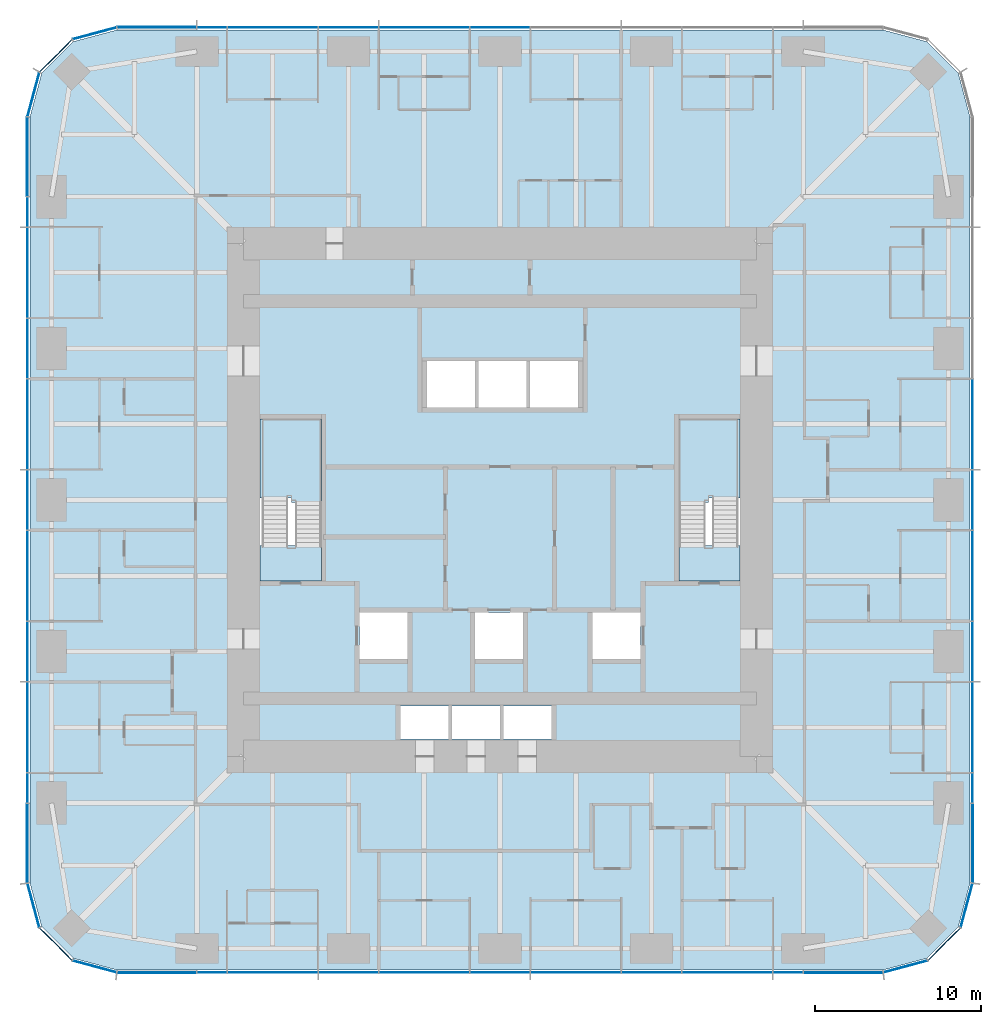
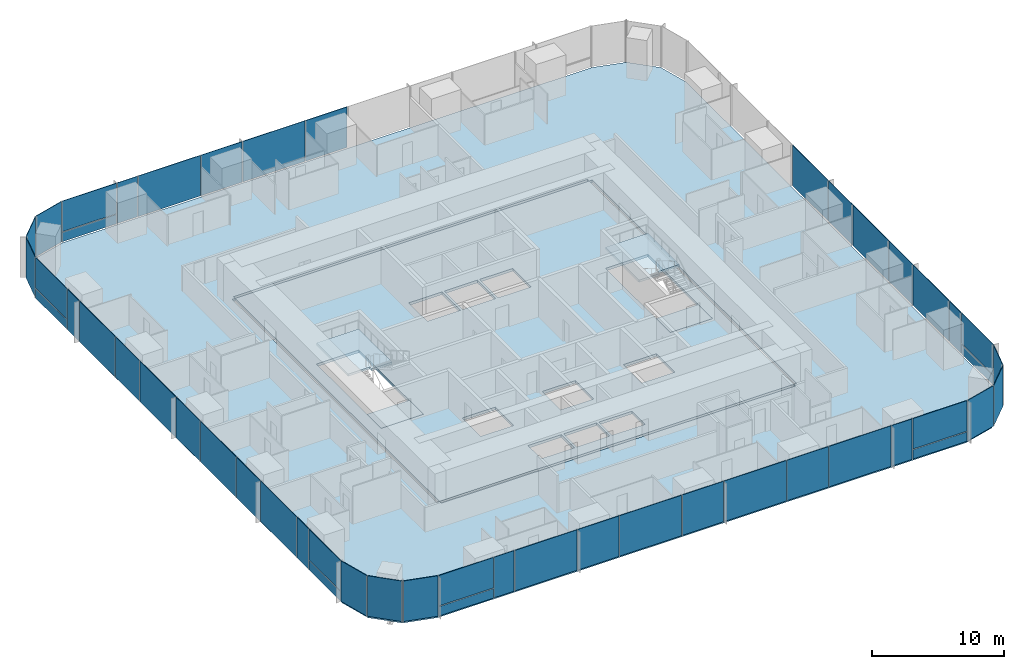
# One storey, part 7 of 13: 50 plates, 6 slabs, 9 elements without a shape of their own.
"""IFC4 building model written with IfcOpenShell, lengths in metres."""

from ifc_helpers import new_model, si_unit, direction, frame, origin, origin_2d, place, context, subcontext, project, spatial, polyline, rectangle, outline, extrude, material, layer, layer_set, type_object, element, aggregate, save


model = new_model("IFC4")

# Units and contexts
model_context = context("Model", 3, precision=1e-05, world=origin(), true_north=direction((0.0, 1.0)))
body_context = subcontext(model_context, "Body", "Model", "MODEL_VIEW")
ifc_project = project(units=[si_unit("LENGTHUNIT", "METRE"), si_unit("AREAUNIT", "SQUARE_METRE"), si_unit("VOLUMEUNIT", "CUBIC_METRE"), si_unit("PLANEANGLEUNIT", "RADIAN"), si_unit("MASSUNIT", "GRAM", prefix="KILO")], contexts=[model_context])

# Site, building, storey
site_placement = place(None, origin())
site = spatial("IfcSite", under=ifc_project, at=site_placement, CompositionType="ELEMENT")
building_placement = place(site_placement, origin())
building = spatial("IfcBuilding", under=site, at=building_placement, Name="Khuree Lantern Residences", CompositionType="ELEMENT")
storey_placement = place(building_placement, frame((0.0, 0.0, 156.0)))
storey = spatial("IfcBuildingStorey", under=building, at=storey_placement, Name="L39", CompositionType="ELEMENT", Elevation=156.0)

# Slab
ifc_material_1 = material(Name="Concrete C35/45", Category="concrete")
ifc_layer_1 = layer(ifc_material_1, 0.25)
ifc_layer_set_1 = layer_set([ifc_layer_1], Name="CFL250 CORE FLOOR SLAB 250")
slab_type_1 = type_object("IfcSlabType", Name="CFL250 CORE FLOOR SLAB 250", PredefinedType="FLOOR", material=ifc_layer_set_1)
slab_1_placement = place(storey_placement, frame((0.0, 0.0, -0.25)))
element("IfcSlab", 1, at=slab_1_placement, inside=storey, type_object=slab_type_1, Name="Core floor L39", PredefinedType="FLOOR", context=body_context, shape_type="SweptSolid", body=[
    extrude(outline(polyline([(-15.5, -15.5), (-15.5, 15.5), (15.5, 15.5), (15.5, -15.5), (-15.5, -15.5)]), holes=[polyline([(10.800048828125, 4.89990234375), (10.800048828125, -4.89990234375), (14.5, -4.89990234375), (14.5, 4.89990234375), (10.800048828125, 4.89990234375)]), polyline([(8.5, -6.800048828125), (5.60009765625, -6.800048828125), (5.60009765625, -9.60009765625), (8.5, -9.60009765625), (8.5, -6.800048828125)]), polyline([(4.699951171875, 8.39990234375), (1.800048828125, 8.39990234375), (1.800048828125, 5.60009765625), (4.699951171875, 5.60009765625), (4.699951171875, 8.39990234375)]), polyline([(3.10009765625, -12.449951171875), (0.199951171875, -12.449951171875), (0.199951171875, -14.449951171875), (3.10009765625, -14.449951171875), (3.10009765625, -12.449951171875)]), polyline([(1.60009765625, 8.39990234375), (-1.300048828125, 8.39990234375), (-1.300048828125, 5.60009765625), (1.60009765625, 5.60009765625), (1.60009765625, 8.39990234375)]), polyline([(1.39990234375, -6.800048828125), (-1.5, -6.800048828125), (-1.5, -9.60009765625), (1.39990234375, -9.60009765625), (1.39990234375, -6.800048828125)]), polyline([(-2.89990234375, -12.449951171875), (-2.89990234375, -14.449951171875), (0.0, -14.449951171875), (0.0, -12.449951171875), (-2.89990234375, -12.449951171875)]), polyline([(-4.39990234375, 8.39990234375), (-4.39990234375, 5.60009765625), (-1.5, 5.60009765625), (-1.5, 8.39990234375), (-4.39990234375, 8.39990234375)]), polyline([(-6.0, -12.449951171875), (-6.0, -14.449951171875), (-3.10009765625, -14.449951171875), (-3.10009765625, -12.449951171875), (-6.0, -12.449951171875)]), polyline([(-8.5, -6.800048828125), (-8.5, -9.60009765625), (-5.60009765625, -9.60009765625), (-5.60009765625, -6.800048828125), (-8.5, -6.800048828125)]), polyline([(-10.800048828125, 4.89990234375), (-14.5, 4.89990234375), (-14.5, -4.89990234375), (-10.800048828125, -4.89990234375), (-10.800048828125, 4.89990234375)])]), origin(), (0.0, 0.0, 1.0), 0.25),
])

# Curtain wall, plates
ifc_material_2 = material(Name="Bronze anodised aluminium", Category="aluminium")
curtain_wall_type_1 = type_object("IfcCurtainWallType", Name="CW-T2 TOWER CORNER CURTAIN WALL", PredefinedType="USERDEFINED", material=ifc_material_2)
curtain_wall_1_placement = place(storey_placement, origin())
curtain_wall_1 = element("IfcCurtainWall", 2, at=curtain_wall_1_placement, inside=storey, type_object=curtain_wall_type_1, Name="L39 SOUTH-EAST CORNER CURTAIN WALL", ObjectType="Faceted corner curtain wall", PredefinedType="USERDEFINED")
ifc_material_3 = material(Name="Bronze tinted triple glazing", Category="glass")
ifc_layer_2 = layer(ifc_material_3, 0.048095703125)
ifc_layer_set_2 = layer_set([ifc_layer_2], Name="FACET PANEL P4")
plate_type_1 = type_object("IfcPlateType", Name="FACET PANEL P4", PredefinedType="CURTAIN_PANEL", material=ifc_layer_set_2)
plate_1_placement = place(storey_placement, frame((24.498046875, -28.188720703125, 0.0), z_axis=(0.0, 0.0, 1.0), x_axis=(0.965925810153, 0.258819105321, 0.0)))
plate_1 = element("IfcPlate", 3, at=plate_1_placement, type_object=plate_type_1, Name="L39 SOUTH-EAST CORNER PANEL 1.1", PredefinedType="CURTAIN_PANEL", context=body_context, shape_type="SweptSolid", body=[
    extrude(rectangle(XDim=2.71923828125, YDim=0.048095703125, at=origin_2d()), origin(), (0.0, 0.0, 1.0), 3.75),
])
plate_2_placement = place(storey_placement, frame((26.83837890625, -26.83837890625, 0.0), z_axis=(0.0, 0.0, 1.0), x_axis=(0.707106781187, 0.707106781187, 0.0)))
plate_2 = element("IfcPlate", 4, at=plate_2_placement, type_object=plate_type_1, Name="L39 SOUTH-EAST CORNER PANEL 2.1", PredefinedType="CURTAIN_PANEL", context=body_context, shape_type="SweptSolid", body=[
    extrude(rectangle(XDim=2.715087890625, YDim=0.048095703125, at=origin_2d()), origin(), (0.0, 0.0, 1.0), 3.75),
])
plate_3_placement = place(storey_placement, frame((28.188720703125, -24.498046875, 0.0), z_axis=(0.0, 0.0, 1.0), x_axis=(0.258819105321, 0.965925810153, 0.0)))
plate_3 = element("IfcPlate", 5, at=plate_3_placement, type_object=plate_type_1, Name="L39 SOUTH-EAST CORNER PANEL 3.1", PredefinedType="CURTAIN_PANEL", context=body_context, shape_type="SweptSolid", body=[
    extrude(rectangle(XDim=2.71923828125, YDim=0.048095703125, at=origin_2d()), origin(), (0.0, 0.0, 1.0), 3.75),
])
aggregate(curtain_wall_1, [plate_1, plate_2, plate_3])

curtain_wall_2_placement = place(storey_placement, origin())
curtain_wall_2 = element("IfcCurtainWall", 6, at=curtain_wall_2_placement, inside=storey, type_object=curtain_wall_type_1, Name="L39 NORTH-WEST CORNER CURTAIN WALL", ObjectType="Faceted corner curtain wall", PredefinedType="USERDEFINED")
plate_4_placement = place(storey_placement, frame((-24.498046875, 28.188720703125, 0.0), z_axis=(0.0, 0.0, 1.0), x_axis=(-0.965925810153, -0.258819105321, 0.0)))
plate_4 = element("IfcPlate", 7, at=plate_4_placement, type_object=plate_type_1, Name="L39 NORTH-WEST CORNER PANEL 29.1", PredefinedType="CURTAIN_PANEL", context=body_context, shape_type="SweptSolid", body=[
    extrude(rectangle(XDim=2.71923828125, YDim=0.048095703125, at=origin_2d()), origin(), (0.0, 0.0, 1.0), 3.75),
])
plate_5_placement = place(storey_placement, frame((-26.83837890625, 26.83837890625, 0.0), z_axis=(0.0, 0.0, 1.0), x_axis=(-0.707106781187, -0.707106781187, 0.0)))
plate_5 = element("IfcPlate", 8, at=plate_5_placement, type_object=plate_type_1, Name="L39 NORTH-WEST CORNER PANEL 30.1", PredefinedType="CURTAIN_PANEL", context=body_context, shape_type="SweptSolid", body=[
    extrude(rectangle(XDim=2.715087890625, YDim=0.048095703125, at=origin_2d()), origin(), (0.0, 0.0, 1.0), 3.75),
])
plate_6_placement = place(storey_placement, frame((-28.188720703125, 24.498046875, 0.0), z_axis=(0.0, 0.0, 1.0), x_axis=(-0.258819105321, -0.965925810153, 0.0)))
plate_6 = element("IfcPlate", 9, at=plate_6_placement, type_object=plate_type_1, Name="L39 NORTH-WEST CORNER PANEL 31.1", PredefinedType="CURTAIN_PANEL", context=body_context, shape_type="SweptSolid", body=[
    extrude(rectangle(XDim=2.71923828125, YDim=0.048095703125, at=origin_2d()), origin(), (0.0, 0.0, 1.0), 3.75),
])
aggregate(curtain_wall_2, [plate_4, plate_5, plate_6])

curtain_wall_3_placement = place(storey_placement, origin())
curtain_wall_3 = element("IfcCurtainWall", 10, at=curtain_wall_3_placement, inside=storey, type_object=curtain_wall_type_1, Name="L39 SOUTH-WEST CORNER CURTAIN WALL", ObjectType="Faceted corner curtain wall", PredefinedType="USERDEFINED")
plate_7_placement = place(storey_placement, frame((-28.188720703125, -24.498046875, 0.0), z_axis=(0.0, 0.0, 1.0), x_axis=(0.258819105321, -0.965925810153, 0.0)))
plate_7 = element("IfcPlate", 11, at=plate_7_placement, type_object=plate_type_1, Name="L39 SOUTH-WEST CORNER PANEL 43.1", PredefinedType="CURTAIN_PANEL", context=body_context, shape_type="SweptSolid", body=[
    extrude(rectangle(XDim=2.71923828125, YDim=0.048095703125, at=origin_2d()), origin(), (0.0, 0.0, 1.0), 3.75),
])
plate_8_placement = place(storey_placement, frame((-26.83837890625, -26.83837890625, 0.0), z_axis=(0.0, 0.0, 1.0), x_axis=(0.707106781187, -0.707106781187, 0.0)))
plate_8 = element("IfcPlate", 12, at=plate_8_placement, type_object=plate_type_1, Name="L39 SOUTH-WEST CORNER PANEL 44.1", PredefinedType="CURTAIN_PANEL", context=body_context, shape_type="SweptSolid", body=[
    extrude(rectangle(XDim=2.715087890625, YDim=0.048095703125, at=origin_2d()), origin(), (0.0, 0.0, 1.0), 3.75),
])
plate_9_placement = place(storey_placement, frame((-24.498046875, -28.188720703125, 0.0), z_axis=(0.0, 0.0, 1.0), x_axis=(0.965925810153, -0.258819105321, 0.0)))
plate_9 = element("IfcPlate", 13, at=plate_9_placement, type_object=plate_type_1, Name="L39 SOUTH-WEST CORNER PANEL 45.1", PredefinedType="CURTAIN_PANEL", context=body_context, shape_type="SweptSolid", body=[
    extrude(rectangle(XDim=2.71923828125, YDim=0.048095703125, at=origin_2d()), origin(), (0.0, 0.0, 1.0), 3.75),
])
aggregate(curtain_wall_3, [plate_7, plate_8, plate_9])

curtain_wall_type_2 = type_object("IfcCurtainWallType", Name="CW-T1 TOWER FACE CURTAIN WALL", PredefinedType="USERDEFINED", material=ifc_material_2)
curtain_wall_4_placement = place(storey_placement, origin())
curtain_wall_4 = element("IfcCurtainWall", 14, at=curtain_wall_4_placement, inside=storey, type_object=curtain_wall_type_2, Name="L39 EAST FACE CURTAIN WALL", ObjectType="Stick-built curtain wall", PredefinedType="USERDEFINED")
ifc_material_4 = material(Name="Bronze tinted triple glazing with a ceramic-fritted spandrel band", Category="glass")
ifc_layer_3 = layer(ifc_material_4, 0.048095703125)
ifc_layer_set_3 = layer_set([ifc_layer_3], Name="FIXED LIGHT PANEL P11")
plate_type_2 = type_object("IfcPlateType", Name="FIXED LIGHT PANEL P11", PredefinedType="CURTAIN_PANEL", material=ifc_layer_set_3)
plate_10_placement = place(storey_placement, frame((28.550048828125, -13.739990234375, 0.0), z_axis=(0.0, 0.0, 1.0), x_axis=(0.0, 1.0, 0.0)))
plate_10 = element("IfcPlate", 15, at=plate_10_placement, type_object=plate_type_2, Name="L39 EAST FACE PANEL 6.1", PredefinedType="CURTAIN_PANEL", context=body_context, shape_type="SweptSolid", body=[
    extrude(rectangle(XDim=5.430908203125, YDim=0.048095703125, at=origin_2d()), origin(), (0.0, 0.0, 1.0), 3.75),
])
plate_11_placement = place(storey_placement, frame((28.550048828125, -4.580078125, 0.0), z_axis=(0.0, 0.0, 1.0), x_axis=(0.0, 1.0, 0.0)))
plate_11 = element("IfcPlate", 16, at=plate_11_placement, type_object=plate_type_2, Name="L39 EAST FACE PANEL 8.1", PredefinedType="CURTAIN_PANEL", context=body_context, shape_type="SweptSolid", body=[
    extrude(rectangle(XDim=5.430908203125, YDim=0.048095703125, at=origin_2d()), origin(), (0.0, 0.0, 1.0), 3.75),
])
plate_12_placement = place(storey_placement, frame((28.550048828125, 4.580078125, 0.0), z_axis=(0.0, 0.0, 1.0), x_axis=(0.0, 1.0, 0.0)))
plate_12 = element("IfcPlate", 17, at=plate_12_placement, type_object=plate_type_2, Name="L39 EAST FACE PANEL 10.1", PredefinedType="CURTAIN_PANEL", context=body_context, shape_type="SweptSolid", body=[
    extrude(rectangle(XDim=5.430908203125, YDim=0.048095703125, at=origin_2d()), origin(), (0.0, 0.0, 1.0), 3.75),
])

curtain_wall_5_placement = place(storey_placement, origin())
curtain_wall_5 = element("IfcCurtainWall", 18, at=curtain_wall_5_placement, inside=storey, type_object=curtain_wall_type_2, Name="L39 NORTH FACE CURTAIN WALL", ObjectType="Stick-built curtain wall", PredefinedType="USERDEFINED")
plate_13_placement = place(storey_placement, frame((-4.580078125, 28.550048828125, 0.0), z_axis=(0.0, 0.0, 1.0), x_axis=(-1.0, 0.0, 0.0)))
plate_13 = element("IfcPlate", 19, at=plate_13_placement, type_object=plate_type_2, Name="L39 NORTH FACE PANEL 24.1", PredefinedType="CURTAIN_PANEL", context=body_context, shape_type="SweptSolid", body=[
    extrude(rectangle(XDim=5.430908203125, YDim=0.048095703125, at=origin_2d()), origin(), (0.0, 0.0, 1.0), 3.75),
])
plate_14_placement = place(storey_placement, frame((-13.739990234375, 28.550048828125, 0.0), z_axis=(0.0, 0.0, 1.0), x_axis=(-1.0, 0.0, 0.0)))
plate_14 = element("IfcPlate", 20, at=plate_14_placement, type_object=plate_type_2, Name="L39 NORTH FACE PANEL 26.1", PredefinedType="CURTAIN_PANEL", context=body_context, shape_type="SweptSolid", body=[
    extrude(rectangle(XDim=5.430908203125, YDim=0.048095703125, at=origin_2d()), origin(), (0.0, 0.0, 1.0), 3.75),
])

curtain_wall_6_placement = place(storey_placement, origin())
curtain_wall_6 = element("IfcCurtainWall", 21, at=curtain_wall_6_placement, inside=storey, type_object=curtain_wall_type_2, Name="L39 WEST FACE CURTAIN WALL", ObjectType="Stick-built curtain wall", PredefinedType="USERDEFINED")
plate_15_placement = place(storey_placement, frame((-28.550048828125, 13.739990234375, 0.0), z_axis=(0.0, 0.0, 1.0), x_axis=(0.0, -1.0, 0.0)))
plate_15 = element("IfcPlate", 22, at=plate_15_placement, type_object=plate_type_2, Name="L39 WEST FACE PANEL 34.1", PredefinedType="CURTAIN_PANEL", context=body_context, shape_type="SweptSolid", body=[
    extrude(rectangle(XDim=5.430908203125, YDim=0.048095703125, at=origin_2d()), origin(), (0.0, 0.0, 1.0), 3.75),
])
plate_16_placement = place(storey_placement, frame((-28.550048828125, 4.580078125, 0.0), z_axis=(0.0, 0.0, 1.0), x_axis=(0.0, -1.0, 0.0)))
plate_16 = element("IfcPlate", 23, at=plate_16_placement, type_object=plate_type_2, Name="L39 WEST FACE PANEL 36.1", PredefinedType="CURTAIN_PANEL", context=body_context, shape_type="SweptSolid", body=[
    extrude(rectangle(XDim=5.430908203125, YDim=0.048095703125, at=origin_2d()), origin(), (0.0, 0.0, 1.0), 3.75),
])
plate_17_placement = place(storey_placement, frame((-28.550048828125, -4.580078125, 0.0), z_axis=(0.0, 0.0, 1.0), x_axis=(0.0, -1.0, 0.0)))
plate_17 = element("IfcPlate", 24, at=plate_17_placement, type_object=plate_type_2, Name="L39 WEST FACE PANEL 38.1", PredefinedType="CURTAIN_PANEL", context=body_context, shape_type="SweptSolid", body=[
    extrude(rectangle(XDim=5.430908203125, YDim=0.048095703125, at=origin_2d()), origin(), (0.0, 0.0, 1.0), 3.75),
])
plate_18_placement = place(storey_placement, frame((-28.550048828125, -13.739990234375, 0.0), z_axis=(0.0, 0.0, 1.0), x_axis=(0.0, -1.0, 0.0)))
plate_18 = element("IfcPlate", 25, at=plate_18_placement, type_object=plate_type_2, Name="L39 WEST FACE PANEL 40.1", PredefinedType="CURTAIN_PANEL", context=body_context, shape_type="SweptSolid", body=[
    extrude(rectangle(XDim=5.430908203125, YDim=0.048095703125, at=origin_2d()), origin(), (0.0, 0.0, 1.0), 3.75),
])

curtain_wall_7_placement = place(storey_placement, origin())
curtain_wall_7 = element("IfcCurtainWall", 26, at=curtain_wall_7_placement, inside=storey, type_object=curtain_wall_type_2, Name="L39 SOUTH FACE CURTAIN WALL", ObjectType="Stick-built curtain wall", PredefinedType="USERDEFINED")
plate_19_placement = place(storey_placement, frame((-13.739990234375, -28.550048828125, 0.0), z_axis=(0.0, 0.0, 1.0), x_axis=(1.0, 0.0, 0.0)))
plate_19 = element("IfcPlate", 27, at=plate_19_placement, type_object=plate_type_2, Name="L39 SOUTH FACE PANEL 48.1", PredefinedType="CURTAIN_PANEL", context=body_context, shape_type="SweptSolid", body=[
    extrude(rectangle(XDim=5.430908203125, YDim=0.048095703125, at=origin_2d()), origin(), (0.0, 0.0, 1.0), 3.75),
])
plate_20_placement = place(storey_placement, frame((-4.580078125, -28.550048828125, 0.0), z_axis=(0.0, 0.0, 1.0), x_axis=(1.0, 0.0, 0.0)))
plate_20 = element("IfcPlate", 28, at=plate_20_placement, type_object=plate_type_2, Name="L39 SOUTH FACE PANEL 50.1", PredefinedType="CURTAIN_PANEL", context=body_context, shape_type="SweptSolid", body=[
    extrude(rectangle(XDim=5.430908203125, YDim=0.048095703125, at=origin_2d()), origin(), (0.0, 0.0, 1.0), 3.75),
])
plate_21_placement = place(storey_placement, frame((4.580078125, -28.550048828125, 0.0), z_axis=(0.0, 0.0, 1.0), x_axis=(1.0, 0.0, 0.0)))
plate_21 = element("IfcPlate", 29, at=plate_21_placement, type_object=plate_type_2, Name="L39 SOUTH FACE PANEL 52.1", PredefinedType="CURTAIN_PANEL", context=body_context, shape_type="SweptSolid", body=[
    extrude(rectangle(XDim=5.430908203125, YDim=0.048095703125, at=origin_2d()), origin(), (0.0, 0.0, 1.0), 3.75),
])
plate_22_placement = place(storey_placement, frame((13.739990234375, -28.550048828125, 0.0), z_axis=(0.0, 0.0, 1.0), x_axis=(1.0, 0.0, 0.0)))
plate_22 = element("IfcPlate", 30, at=plate_22_placement, type_object=plate_type_2, Name="L39 SOUTH FACE PANEL 54.1", PredefinedType="CURTAIN_PANEL", context=body_context, shape_type="SweptSolid", body=[
    extrude(rectangle(XDim=5.430908203125, YDim=0.048095703125, at=origin_2d()), origin(), (0.0, 0.0, 1.0), 3.75),
])

# Slab
ifc_layer_4 = layer(ifc_material_1, 0.25)
ifc_layer_set_4 = layer_set([ifc_layer_4], Name="FS250 FLOOR SLAB 250")
slab_type_2 = type_object("IfcSlabType", Name="FS250 FLOOR SLAB 250", PredefinedType="FLOOR", material=ifc_layer_set_4)
slab_2_placement = place(storey_placement, frame((0.0, 0.0, -0.25)))
element("IfcSlab", 31, at=slab_2_placement, inside=storey, type_object=slab_type_2, Name="Floor slab L39", PredefinedType="FLOOR", context=body_context, shape_type="SweptSolid", body=[
    extrude(outline(polyline([(-25.77490234375, -27.696533203125), (-27.696533203125, -25.77490234375), (-28.39990234375, -23.14990234375), (-28.39990234375, 23.14990234375), (-27.696533203125, 25.77490234375), (-25.77490234375, 27.696533203125), (-23.14990234375, 28.39990234375), (23.14990234375, 28.39990234375), (25.77490234375, 27.696533203125), (27.696533203125, 25.77490234375), (28.39990234375, 23.14990234375), (28.39990234375, -23.14990234375), (27.696533203125, -25.77490234375), (25.77490234375, -27.696533203125), (23.14990234375, -28.39990234375), (-23.14990234375, -28.39990234375), (-25.77490234375, -27.696533203125)]), holes=[polyline([(15.75, 15.5), (15.5, 15.5), (15.5, 15.75), (-15.5, 15.75), (-15.5, 15.5), (-15.75, 15.5), (-15.75, -15.5), (-15.5, -15.5), (-15.5, -15.75), (15.5, -15.75), (15.5, -15.5), (15.75, -15.5), (15.75, 15.5)])]), origin(), (0.0, 0.0, 1.0), 0.25),
])

# Plate
ifc_material_5 = material(Name="Bronze tinted triple glazing, two aluminium-framed sashes in one frame", Category="aluminium")
ifc_layer_5 = layer(ifc_material_5, 0.048095703125)
ifc_layer_set_5 = layer_set([ifc_layer_5], Name="SASH PAIR PANEL P12")
plate_type_3 = type_object("IfcPlateType", Name="SASH PAIR PANEL P12", PredefinedType="CURTAIN_PANEL", material=ifc_layer_set_5)
plate_23_placement = place(storey_placement, frame((28.550048828125, -9.159912109375, 0.0), z_axis=(0.0, 0.0, 1.0), x_axis=(0.0, 1.0, 0.0)))
plate_23 = element("IfcPlate", 32, at=plate_23_placement, type_object=plate_type_3, Name="L39 EAST FACE PANEL 7.1", PredefinedType="CURTAIN_PANEL", context=body_context, shape_type="SweptSolid", body=[
    extrude(rectangle(XDim=3.59912109375, YDim=0.048095703125, at=origin_2d()), origin(), (0.0, 0.0, 1.0), 3.75),
])

plate_24_placement = place(storey_placement, frame((28.550048828125, 0.0, 0.0), z_axis=(0.0, 0.0, 1.0), x_axis=(0.0, 1.0, 0.0)))
plate_24 = element("IfcPlate", 33, at=plate_24_placement, type_object=plate_type_3, Name="L39 EAST FACE PANEL 9.1", PredefinedType="CURTAIN_PANEL", context=body_context, shape_type="SweptSolid", body=[
    extrude(rectangle(XDim=3.59912109375, YDim=0.048095703125, at=origin_2d()), origin(), (0.0, 0.0, 1.0), 3.75),
])

plate_25_placement = place(storey_placement, frame((0.0, 28.550048828125, 0.0), z_axis=(0.0, 0.0, 1.0), x_axis=(-1.0, 0.0, 0.0)))
plate_25 = element("IfcPlate", 34, at=plate_25_placement, type_object=plate_type_3, Name="L39 NORTH FACE PANEL 23.1", PredefinedType="CURTAIN_PANEL", context=body_context, shape_type="SweptSolid", body=[
    extrude(rectangle(XDim=3.59912109375, YDim=0.048095703125, at=origin_2d()), origin(), (0.0, 0.0, 1.0), 3.75),
])

plate_26_placement = place(storey_placement, frame((-9.159912109375, 28.550048828125, 0.0), z_axis=(0.0, 0.0, 1.0), x_axis=(-1.0, 0.0, 0.0)))
plate_26 = element("IfcPlate", 35, at=plate_26_placement, type_object=plate_type_3, Name="L39 NORTH FACE PANEL 25.1", PredefinedType="CURTAIN_PANEL", context=body_context, shape_type="SweptSolid", body=[
    extrude(rectangle(XDim=3.59912109375, YDim=0.048095703125, at=origin_2d()), origin(), (0.0, 0.0, 1.0), 3.75),
])

plate_27_placement = place(storey_placement, frame((-28.550048828125, 9.159912109375, 0.0), z_axis=(0.0, 0.0, 1.0), x_axis=(0.0, -1.0, 0.0)))
plate_27 = element("IfcPlate", 36, at=plate_27_placement, type_object=plate_type_3, Name="L39 WEST FACE PANEL 35.1", PredefinedType="CURTAIN_PANEL", context=body_context, shape_type="SweptSolid", body=[
    extrude(rectangle(XDim=3.59912109375, YDim=0.048095703125, at=origin_2d()), origin(), (0.0, 0.0, 1.0), 3.75),
])

plate_28_placement = place(storey_placement, frame((-28.550048828125, 0.0, 0.0), z_axis=(0.0, 0.0, 1.0), x_axis=(0.0, -1.0, 0.0)))
plate_28 = element("IfcPlate", 37, at=plate_28_placement, type_object=plate_type_3, Name="L39 WEST FACE PANEL 37.1", PredefinedType="CURTAIN_PANEL", context=body_context, shape_type="SweptSolid", body=[
    extrude(rectangle(XDim=3.59912109375, YDim=0.048095703125, at=origin_2d()), origin(), (0.0, 0.0, 1.0), 3.75),
])

plate_29_placement = place(storey_placement, frame((-28.550048828125, -9.159912109375, 0.0), z_axis=(0.0, 0.0, 1.0), x_axis=(0.0, -1.0, 0.0)))
plate_29 = element("IfcPlate", 38, at=plate_29_placement, type_object=plate_type_3, Name="L39 WEST FACE PANEL 39.1", PredefinedType="CURTAIN_PANEL", context=body_context, shape_type="SweptSolid", body=[
    extrude(rectangle(XDim=3.59912109375, YDim=0.048095703125, at=origin_2d()), origin(), (0.0, 0.0, 1.0), 3.75),
])

plate_30_placement = place(storey_placement, frame((-9.159912109375, -28.550048828125, 0.0), z_axis=(0.0, 0.0, 1.0), x_axis=(1.0, 0.0, 0.0)))
plate_30 = element("IfcPlate", 39, at=plate_30_placement, type_object=plate_type_3, Name="L39 SOUTH FACE PANEL 49.1", PredefinedType="CURTAIN_PANEL", context=body_context, shape_type="SweptSolid", body=[
    extrude(rectangle(XDim=3.59912109375, YDim=0.048095703125, at=origin_2d()), origin(), (0.0, 0.0, 1.0), 3.75),
])

plate_31_placement = place(storey_placement, frame((0.0, -28.550048828125, 0.0), z_axis=(0.0, 0.0, 1.0), x_axis=(1.0, 0.0, 0.0)))
plate_31 = element("IfcPlate", 40, at=plate_31_placement, type_object=plate_type_3, Name="L39 SOUTH FACE PANEL 51.1", PredefinedType="CURTAIN_PANEL", context=body_context, shape_type="SweptSolid", body=[
    extrude(rectangle(XDim=3.59912109375, YDim=0.048095703125, at=origin_2d()), origin(), (0.0, 0.0, 1.0), 3.75),
])

plate_32_placement = place(storey_placement, frame((9.159912109375, -28.550048828125, 0.0), z_axis=(0.0, 0.0, 1.0), x_axis=(1.0, 0.0, 0.0)))
plate_32 = element("IfcPlate", 41, at=plate_32_placement, type_object=plate_type_3, Name="L39 SOUTH FACE PANEL 53.1", PredefinedType="CURTAIN_PANEL", context=body_context, shape_type="SweptSolid", body=[
    extrude(rectangle(XDim=3.59912109375, YDim=0.048095703125, at=origin_2d()), origin(), (0.0, 0.0, 1.0), 3.75),
])

ifc_material_6 = material(Name="Bronze tinted triple glazing, aluminium-framed sash", Category="aluminium")
ifc_layer_6 = layer(ifc_material_6, 0.048095703125)
ifc_layer_set_6 = layer_set([ifc_layer_6], Name="SASH PANEL P3")
plate_type_4 = type_object("IfcPlateType", Name="SASH PANEL P3", PredefinedType="CURTAIN_PANEL", material=ifc_layer_set_6)
plate_33_placement = place(storey_placement, frame((28.550048828125, -17.404052734375, 0.0), z_axis=(0.0, 0.0, 1.0), x_axis=(0.0, 1.0, 0.0)))
plate_33 = element("IfcPlate", 42, at=plate_33_placement, type_object=plate_type_4, Name="L39 EAST FACE PANEL 5.1", PredefinedType="CURTAIN_PANEL", context=body_context, shape_type="SweptSolid", body=[
    extrude(rectangle(XDim=1.76708984375, YDim=0.048095703125, at=origin_2d()), origin(), (0.0, 0.0, 1.0), 3.75),
])

plate_34_placement = place(storey_placement, frame((-17.404052734375, 28.550048828125, 0.0), z_axis=(0.0, 0.0, 1.0), x_axis=(-1.0, 0.0, 0.0)))
plate_34 = element("IfcPlate", 43, at=plate_34_placement, type_object=plate_type_4, Name="L39 NORTH FACE PANEL 27.1", PredefinedType="CURTAIN_PANEL", context=body_context, shape_type="SweptSolid", body=[
    extrude(rectangle(XDim=1.76708984375, YDim=0.048095703125, at=origin_2d()), origin(), (0.0, 0.0, 1.0), 3.75),
])

plate_35_placement = place(storey_placement, frame((-28.550048828125, 17.404052734375, 0.0), z_axis=(0.0, 0.0, 1.0), x_axis=(0.0, -1.0, 0.0)))
plate_35 = element("IfcPlate", 44, at=plate_35_placement, type_object=plate_type_4, Name="L39 WEST FACE PANEL 33.1", PredefinedType="CURTAIN_PANEL", context=body_context, shape_type="SweptSolid", body=[
    extrude(rectangle(XDim=1.76708984375, YDim=0.048095703125, at=origin_2d()), origin(), (0.0, 0.0, 1.0), 3.75),
])

plate_36_placement = place(storey_placement, frame((-28.550048828125, -17.404052734375, 0.0), z_axis=(0.0, 0.0, 1.0), x_axis=(0.0, -1.0, 0.0)))
plate_36 = element("IfcPlate", 45, at=plate_36_placement, type_object=plate_type_4, Name="L39 WEST FACE PANEL 41.1", PredefinedType="CURTAIN_PANEL", context=body_context, shape_type="SweptSolid", body=[
    extrude(rectangle(XDim=1.76708984375, YDim=0.048095703125, at=origin_2d()), origin(), (0.0, 0.0, 1.0), 3.75),
])

plate_37_placement = place(storey_placement, frame((-17.404052734375, -28.550048828125, 0.0), z_axis=(0.0, 0.0, 1.0), x_axis=(1.0, 0.0, 0.0)))
plate_37 = element("IfcPlate", 46, at=plate_37_placement, type_object=plate_type_4, Name="L39 SOUTH FACE PANEL 47.1", PredefinedType="CURTAIN_PANEL", context=body_context, shape_type="SweptSolid", body=[
    extrude(rectangle(XDim=1.76708984375, YDim=0.048095703125, at=origin_2d()), origin(), (0.0, 0.0, 1.0), 3.75),
])

plate_38_placement = place(storey_placement, frame((17.404052734375, -28.550048828125, 0.0), z_axis=(0.0, 0.0, 1.0), x_axis=(1.0, 0.0, 0.0)))
plate_38 = element("IfcPlate", 47, at=plate_38_placement, type_object=plate_type_4, Name="L39 SOUTH FACE PANEL 55.1", PredefinedType="CURTAIN_PANEL", context=body_context, shape_type="SweptSolid", body=[
    extrude(rectangle(XDim=1.76708984375, YDim=0.048095703125, at=origin_2d()), origin(), (0.0, 0.0, 1.0), 3.75),
])

ifc_material_7 = material(Name="Bronze anodised aluminium insulated spandrel", Category="aluminium")
ifc_layer_7 = layer(ifc_material_7, 0.06005859375)
ifc_layer_set_7 = layer_set([ifc_layer_7], Name="SPANDREL PANEL P2")
plate_type_5 = type_object("IfcPlateType", Name="SPANDREL PANEL P2", PredefinedType="CURTAIN_PANEL", material=ifc_layer_set_7)
plate_39_placement = place(storey_placement, frame((28.550048828125, -20.73291015625, 0.0), z_axis=(0.0, 0.0, 1.0), x_axis=(0.0, 1.0, 0.0)))
plate_39 = element("IfcPlate", 48, at=plate_39_placement, type_object=plate_type_5, Name="L39 EAST FACE PANEL 4.1", PredefinedType="CURTAIN_PANEL", context=body_context, shape_type="SweptSolid", body=[
    extrude(rectangle(XDim=4.7607421875, YDim=0.06005859375, at=origin_2d()), origin(), (0.0, 0.0, 1.0), 0.867431640625),
])

plate_40_placement = place(storey_placement, frame((-20.73291015625, 28.550048828125, 0.0), z_axis=(0.0, 0.0, 1.0), x_axis=(-1.0, 0.0, 0.0)))
plate_40 = element("IfcPlate", 49, at=plate_40_placement, type_object=plate_type_5, Name="L39 NORTH FACE PANEL 28.1", PredefinedType="CURTAIN_PANEL", context=body_context, shape_type="SweptSolid", body=[
    extrude(rectangle(XDim=4.7607421875, YDim=0.06005859375, at=origin_2d()), origin(), (0.0, 0.0, 1.0), 0.867431640625),
])

plate_41_placement = place(storey_placement, frame((-28.550048828125, 20.73291015625, 0.0), z_axis=(0.0, 0.0, 1.0), x_axis=(0.0, -1.0, 0.0)))
plate_41 = element("IfcPlate", 50, at=plate_41_placement, type_object=plate_type_5, Name="L39 WEST FACE PANEL 32.1", PredefinedType="CURTAIN_PANEL", context=body_context, shape_type="SweptSolid", body=[
    extrude(rectangle(XDim=4.7607421875, YDim=0.06005859375, at=origin_2d()), origin(), (0.0, 0.0, 1.0), 0.867431640625),
])

plate_42_placement = place(storey_placement, frame((-28.550048828125, -20.73291015625, 0.0), z_axis=(0.0, 0.0, 1.0), x_axis=(0.0, -1.0, 0.0)))
plate_42 = element("IfcPlate", 51, at=plate_42_placement, type_object=plate_type_5, Name="L39 WEST FACE PANEL 42.1", PredefinedType="CURTAIN_PANEL", context=body_context, shape_type="SweptSolid", body=[
    extrude(rectangle(XDim=4.7607421875, YDim=0.06005859375, at=origin_2d()), origin(), (0.0, 0.0, 1.0), 0.867431640625),
])

plate_43_placement = place(storey_placement, frame((-20.73291015625, -28.550048828125, 0.0), z_axis=(0.0, 0.0, 1.0), x_axis=(1.0, 0.0, 0.0)))
plate_43 = element("IfcPlate", 52, at=plate_43_placement, type_object=plate_type_5, Name="L39 SOUTH FACE PANEL 46.1", PredefinedType="CURTAIN_PANEL", context=body_context, shape_type="SweptSolid", body=[
    extrude(rectangle(XDim=4.7607421875, YDim=0.06005859375, at=origin_2d()), origin(), (0.0, 0.0, 1.0), 0.867431640625),
])

plate_44_placement = place(storey_placement, frame((20.73291015625, -28.550048828125, 0.0), z_axis=(0.0, 0.0, 1.0), x_axis=(1.0, 0.0, 0.0)))
plate_44 = element("IfcPlate", 53, at=plate_44_placement, type_object=plate_type_5, Name="L39 SOUTH FACE PANEL 56.1", PredefinedType="CURTAIN_PANEL", context=body_context, shape_type="SweptSolid", body=[
    extrude(rectangle(XDim=4.7607421875, YDim=0.06005859375, at=origin_2d()), origin(), (0.0, 0.0, 1.0), 0.867431640625),
])

# Stair, slabs
ifc_material_8 = material(Name="Concrete C40/50", Category="concrete")
stair_type = type_object("IfcStairType", Name="STAIR ST1 HALF TURN 3600", PredefinedType="HALF_TURN_STAIR", material=ifc_material_8)
stair_1_placement = place(storey_placement, origin())
stair_1 = element("IfcStair", 54, at=stair_1_placement, inside=storey, type_object=stair_type, Name="Stair ST1", PredefinedType="HALF_TURN_STAIR")
ifc_layer_8 = layer(ifc_material_8, 0.199951171875)
ifc_layer_set_8 = layer_set([ifc_layer_8], Name="STAIR LANDING SL1 200")
slab_type_3 = type_object("IfcSlabType", Name="STAIR LANDING SL1 200", PredefinedType="LANDING", material=ifc_layer_set_8)
slab_3_placement = place(storey_placement, frame((0.0, 0.0, -0.199951171875)))
slab_3 = element("IfcSlab", 55, at=slab_3_placement, type_object=slab_type_3, Name="ST1 landing 1", PredefinedType="LANDING", context=body_context, shape_type="SweptSolid", body=[
    extrude(outline(polyline([(-14.5, -4.89990234375), (-10.800048828125, -4.89990234375), (-10.800048828125, -2.760009765625), (-14.5, -2.760009765625), (-14.5, -4.89990234375)])), origin(), (0.0, 0.0, 1.0), 0.199951171875),
])
slab_4_placement = place(storey_placement, frame((0.0, 0.0, 1.756591796875)))
slab_4 = element("IfcSlab", 56, at=slab_4_placement, type_object=slab_type_3, Name="ST1 landing 2", PredefinedType="LANDING", context=body_context, shape_type="SweptSolid", body=[
    extrude(outline(polyline([(-14.5, 0.1201171875), (-14.5, 4.89990234375), (-10.800048828125, 4.89990234375), (-10.800048828125, -0.159912109375), (-12.60009765625, -0.159912109375), (-12.60009765625, 0.1201171875), (-14.5, 0.1201171875)])), origin(), (0.0, 0.0, 1.0), 0.199951171875),
])
aggregate(stair_1, [slab_3, slab_4])

stair_2_placement = place(storey_placement, origin())
stair_2 = element("IfcStair", 57, at=stair_2_placement, inside=storey, type_object=stair_type, Name="Stair ST2", PredefinedType="HALF_TURN_STAIR")
slab_5_placement = place(storey_placement, frame((0.0, 0.0, -0.199951171875)))
slab_5 = element("IfcSlab", 58, at=slab_5_placement, type_object=slab_type_3, Name="ST2 landing 1", PredefinedType="LANDING", context=body_context, shape_type="SweptSolid", body=[
    extrude(outline(polyline([(10.800048828125, -4.89990234375), (14.5, -4.89990234375), (14.5, -2.760009765625), (10.800048828125, -2.760009765625), (10.800048828125, -4.89990234375)])), origin(), (0.0, 0.0, 1.0), 0.199951171875),
])
slab_6_placement = place(storey_placement, frame((0.0, 0.0, 1.756591796875)))
slab_6 = element("IfcSlab", 59, at=slab_6_placement, type_object=slab_type_3, Name="ST2 landing 2", PredefinedType="LANDING", context=body_context, shape_type="SweptSolid", body=[
    extrude(outline(polyline([(14.5, 4.89990234375), (14.5, 0.1201171875), (12.60009765625, 0.1201171875), (12.60009765625, -0.159912109375), (10.800048828125, -0.159912109375), (10.800048828125, 4.89990234375), (14.5, 4.89990234375)])), origin(), (0.0, 0.0, 1.0), 0.199951171875),
])
aggregate(stair_2, [slab_5, slab_6])

# Plate
ifc_layer_9 = layer(ifc_material_3, 0.048095703125)
ifc_layer_set_9 = layer_set([ifc_layer_9], Name="VISION PANEL P1")
plate_type_6 = type_object("IfcPlateType", Name="VISION PANEL P1", PredefinedType="CURTAIN_PANEL", material=ifc_layer_set_9)
plate_45_placement = place(storey_placement, frame((28.550048828125, -20.7333984375, 0.9326171875), z_axis=(0.0, 0.0, 1.0), x_axis=(0.0, 1.0, 0.0)))
plate_45 = element("IfcPlate", 60, at=plate_45_placement, type_object=plate_type_6, Name="L39 EAST FACE PANEL 4.2", PredefinedType="CURTAIN_PANEL", context=body_context, shape_type="SweptSolid", body=[
    extrude(rectangle(XDim=4.761474609375, YDim=0.048095703125, at=origin_2d()), origin(), (0.0, 0.0, 1.0), 2.8173828125),
])

aggregate(curtain_wall_4, [plate_39, plate_45, plate_33, plate_10, plate_23, plate_11, plate_24, plate_12])

plate_46_placement = place(storey_placement, frame((-20.7333984375, 28.550048828125, 0.9326171875), z_axis=(0.0, 0.0, 1.0), x_axis=(-1.0, 0.0, 0.0)))
plate_46 = element("IfcPlate", 61, at=plate_46_placement, type_object=plate_type_6, Name="L39 NORTH FACE PANEL 28.2", PredefinedType="CURTAIN_PANEL", context=body_context, shape_type="SweptSolid", body=[
    extrude(rectangle(XDim=4.761474609375, YDim=0.048095703125, at=origin_2d()), origin(), (0.0, 0.0, 1.0), 2.8173828125),
])

aggregate(curtain_wall_5, [plate_25, plate_13, plate_26, plate_14, plate_34, plate_40, plate_46])

plate_47_placement = place(storey_placement, frame((-28.550048828125, 20.7333984375, 0.9326171875), z_axis=(0.0, 0.0, 1.0), x_axis=(0.0, -1.0, 0.0)))
plate_47 = element("IfcPlate", 62, at=plate_47_placement, type_object=plate_type_6, Name="L39 WEST FACE PANEL 32.2", PredefinedType="CURTAIN_PANEL", context=body_context, shape_type="SweptSolid", body=[
    extrude(rectangle(XDim=4.761474609375, YDim=0.048095703125, at=origin_2d()), origin(), (0.0, 0.0, 1.0), 2.8173828125),
])

plate_48_placement = place(storey_placement, frame((-28.550048828125, -20.7333984375, 0.9326171875), z_axis=(0.0, 0.0, 1.0), x_axis=(0.0, -1.0, 0.0)))
plate_48 = element("IfcPlate", 63, at=plate_48_placement, type_object=plate_type_6, Name="L39 WEST FACE PANEL 42.2", PredefinedType="CURTAIN_PANEL", context=body_context, shape_type="SweptSolid", body=[
    extrude(rectangle(XDim=4.761474609375, YDim=0.048095703125, at=origin_2d()), origin(), (0.0, 0.0, 1.0), 2.8173828125),
])

aggregate(curtain_wall_6, [plate_41, plate_47, plate_35, plate_15, plate_27, plate_16, plate_28, plate_17, plate_29, plate_18, plate_36, plate_42, plate_48])

plate_49_placement = place(storey_placement, frame((-20.7333984375, -28.550048828125, 0.9326171875), z_axis=(0.0, 0.0, 1.0), x_axis=(1.0, 0.0, 0.0)))
plate_49 = element("IfcPlate", 64, at=plate_49_placement, type_object=plate_type_6, Name="L39 SOUTH FACE PANEL 46.2", PredefinedType="CURTAIN_PANEL", context=body_context, shape_type="SweptSolid", body=[
    extrude(rectangle(XDim=4.761474609375, YDim=0.048095703125, at=origin_2d()), origin(), (0.0, 0.0, 1.0), 2.8173828125),
])

plate_50_placement = place(storey_placement, frame((20.7333984375, -28.550048828125, 0.9326171875), z_axis=(0.0, 0.0, 1.0), x_axis=(1.0, 0.0, 0.0)))
plate_50 = element("IfcPlate", 65, at=plate_50_placement, type_object=plate_type_6, Name="L39 SOUTH FACE PANEL 56.2", PredefinedType="CURTAIN_PANEL", context=body_context, shape_type="SweptSolid", body=[
    extrude(rectangle(XDim=4.761474609375, YDim=0.048095703125, at=origin_2d()), origin(), (0.0, 0.0, 1.0), 2.8173828125),
])

aggregate(curtain_wall_7, [plate_43, plate_49, plate_37, plate_19, plate_30, plate_20, plate_31, plate_21, plate_32, plate_22, plate_38, plate_44, plate_50])

save(model, "model.ifc")
